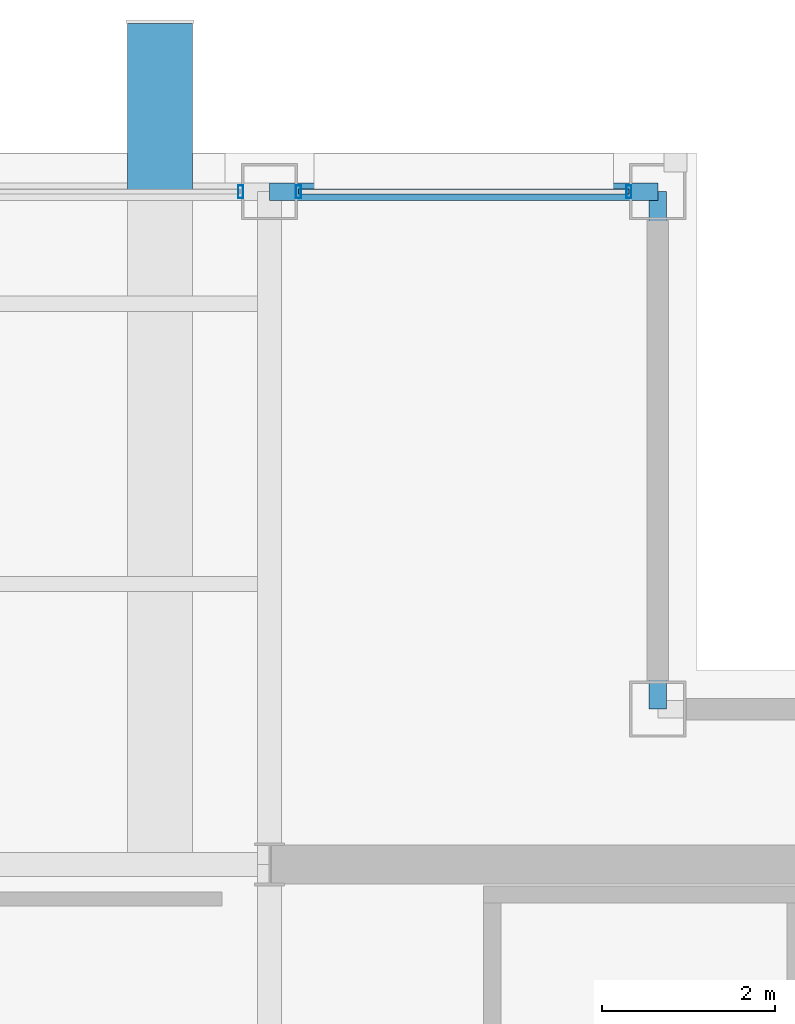
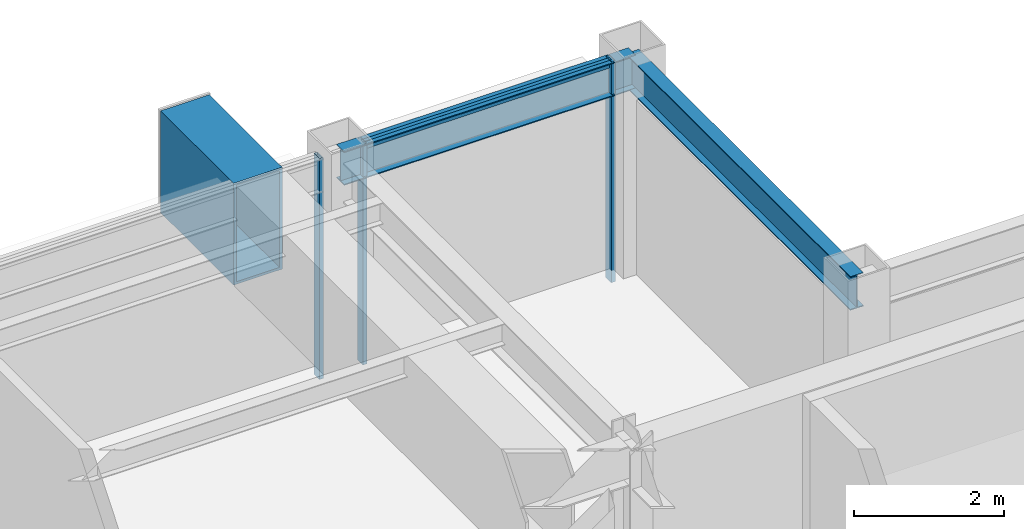
# One storey, part 15 of 20: 4 members, 3 beams, 2 elements without a shape of their own.
"""IFC4 building model written with IfcOpenShell, lengths in metres."""

from ifc_helpers import new_model, si_unit, direction, frame, origin, origin_2d, place, context, subcontext, project, spatial, hollow_rectangle, i_section, extrude, material, layer, layer_set, material_profile, profile_set, type_object, element, aggregate, save


model = new_model("IFC4")

# Units and contexts
model_context = context("Model", 3, precision=1e-05, world=origin(), true_north=direction((0.0, 1.0)))
body_context = subcontext(model_context, "Body", "Model", "MODEL_VIEW")
ifc_project = project(units=[si_unit("LENGTHUNIT", "METRE"), si_unit("AREAUNIT", "SQUARE_METRE"), si_unit("VOLUMEUNIT", "CUBIC_METRE"), si_unit("PLANEANGLEUNIT", "RADIAN"), si_unit("MASSUNIT", "GRAM", prefix="KILO")], contexts=[model_context])

# Site, building, storey
site_placement = place(None, origin())
site = spatial("IfcSite", under=ifc_project, at=site_placement, CompositionType="ELEMENT")
building_placement = place(site_placement, origin())
building = spatial("IfcBuilding", under=site, at=building_placement, Name="Brelmoor Portico Tower", CompositionType="ELEMENT")
storey_placement = place(building_placement, frame((0.0, 0.0, 218.39990234375)))
storey = spatial("IfcBuildingStorey", under=building, at=storey_placement, Name="L57", CompositionType="ELEMENT", Elevation=218.39990234375)

# Beams
ifc_material_1 = material(Name="Steel Q355B", Category="steel")
ifc_material_profile_1 = material_profile(ifc_material_1, hollow_rectangle(XDim=0.75, YDim=1.659912109375, WallThickness=0.0419921875, at=origin_2d()), Name="BOX 750x1660x42")
ifc_profile_set_1 = profile_set([ifc_material_profile_1], Name="Steel Q355B")
beam_type_1 = type_object("IfcBeamType", Name="BM-PF-CANT", PredefinedType="BEAM", material=ifc_profile_set_1)
beam_1_placement = place(storey_placement, frame((6.780029296875, 17.550048828125, 2.570068359375), z_axis=(0.0, 1.0, 0.0), x_axis=(-1.0, 0.0, 0.0)))
element("IfcBeam", 1, at=beam_1_placement, inside=storey, type_object=beam_type_1, Name="L57 Picture-Frame Outrigger Transfer Cantilever PFB-02", PredefinedType="BEAM", context=body_context, shape_type="SweptSolid", body=[
    extrude(hollow_rectangle(XDim=0.75, YDim=1.659912109375, WallThickness=0.0419921875, at=origin_2d()), origin(), (0.0, 0.0, 1.0), 1.949951171875),
])
ifc_material_profile_2 = material_profile(ifc_material_1, i_section(OverallWidth=0.199951171875, OverallDepth=0.550048828125, WebThickness=0.010009765625, FlangeThickness=0.01611328125, at=origin_2d()), Name="HN 550x200x10x16")
ifc_profile_set_2 = profile_set([ifc_material_profile_2], Name="Steel Q355B")
beam_type_2 = type_object("IfcBeamType", Name="BM-SP-550", PredefinedType="SPANDREL", material=ifc_profile_set_2)
beam_2_placement = place(storey_placement, frame((8.050048828125, 17.550048828125, 3.125), z_axis=(1.0, 0.0, 0.0), x_axis=(0.0, 1.0, 0.0)))
element("IfcBeam", 2, at=beam_2_placement, inside=storey, type_object=beam_type_2, Name="L57 Perimeter Spandrel Beam SP-10", PredefinedType="SPANDREL", context=body_context, shape_type="SweptSolid", body=[
    extrude(i_section(OverallWidth=0.199951171875, OverallDepth=0.550048828125, WebThickness=0.010009765625, FlangeThickness=0.01611328125, at=origin_2d()), origin(), (0.0, 0.0, 1.0), 4.5),
])
beam_3_placement = place(storey_placement, frame((12.550048828125, 11.550048828125, 3.125), z_axis=(0.0, 1.0, 0.0), x_axis=(-1.0, 0.0, 0.0)))
element("IfcBeam", 3, at=beam_3_placement, inside=storey, type_object=beam_type_2, Name="L57 Perimeter Spandrel Beam SP-17", PredefinedType="SPANDREL", context=body_context, shape_type="SweptSolid", body=[
    extrude(i_section(OverallWidth=0.199951171875, OverallDepth=0.550048828125, WebThickness=0.010009765625, FlangeThickness=0.01611328125, at=origin_2d()), origin(), (0.0, 0.0, 1.0), 6.0),
])

# Curtain wall, member
ifc_material_2 = material(Name="Anodised Aluminium Alloy 6063-T6", Category="aluminium")
ifc_layer = layer(ifc_material_2, 0.179931640625)
ifc_layer_set = layer_set([ifc_layer], Name="Anodised Aluminium Alloy 6063-T6")
curtain_wall_type = type_object("IfcCurtainWallType", Name="CW-TOWER-Z4-XB", PredefinedType="NOTDEFINED", material=ifc_layer_set)
curtain_wall_1_placement = place(storey_placement, origin())
curtain_wall_1 = element("IfcCurtainWall", 4, at=curtain_wall_1_placement, inside=storey, type_object=curtain_wall_type, Name="L57 Curtain Wall CW-L57-02-2", PredefinedType="NOTDEFINED")
ifc_material_profile_3 = material_profile(ifc_material_2, hollow_rectangle(XDim=0.06005859375, YDim=0.14990234375, WallThickness=0.00390625, at=origin_2d()), Name="ALU MULLION 60x150")
ifc_profile_set_3 = profile_set([ifc_material_profile_3], Name="Anodised Aluminium Alloy 6063-T6")
member_type_1 = type_object("IfcMemberType", Name="MB-CW-MULL-150", PredefinedType="MULLION", material=ifc_profile_set_3)
member_1_placement = place(storey_placement, frame((7.715087890625, 17.550048828125, -0.199951171875), z_axis=(0.0, 0.0, 1.0), x_axis=(1.0, 0.0, 0.0)))
member_1 = element("IfcMember", 5, at=member_1_placement, type_object=member_type_1, Name="CW-L57-02-2 Mullion 01", PredefinedType="MULLION", context=body_context, shape_type="SweptSolid", body=[
    extrude(hollow_rectangle(XDim=0.06005859375, YDim=0.14990234375, WallThickness=0.00390625, at=origin_2d()), origin(), (0.0, 0.0, 1.0), 3.60009765625),
])
aggregate(curtain_wall_1, [member_1])

# Curtain wall, members
curtain_wall_2_placement = place(storey_placement, origin())
curtain_wall_2 = element("IfcCurtainWall", 6, at=curtain_wall_2_placement, inside=storey, type_object=curtain_wall_type, Name="L57 Curtain Wall CW-L57-02-3", PredefinedType="NOTDEFINED")
member_2_placement = place(storey_placement, frame((8.385009765625, 17.550048828125, -0.199951171875), z_axis=(0.0, 0.0, 1.0), x_axis=(1.0, 0.0, 0.0)))
member_2 = element("IfcMember", 7, at=member_2_placement, type_object=member_type_1, Name="CW-L57-02-3 Mullion 00", PredefinedType="MULLION", context=body_context, shape_type="SweptSolid", body=[
    extrude(hollow_rectangle(XDim=0.06005859375, YDim=0.14990234375, WallThickness=0.00390625, at=origin_2d()), origin(), (0.0, 0.0, 1.0), 3.60009765625),
])
member_3_placement = place(storey_placement, frame((12.215087890625, 17.550048828125, -0.199951171875), z_axis=(0.0, 0.0, 1.0), x_axis=(1.0, 0.0, 0.0)))
member_3 = element("IfcMember", 8, at=member_3_placement, type_object=member_type_1, Name="CW-L57-02-3 Mullion 01", PredefinedType="MULLION", context=body_context, shape_type="SweptSolid", body=[
    extrude(hollow_rectangle(XDim=0.06005859375, YDim=0.14990234375, WallThickness=0.00390625, at=origin_2d()), origin(), (0.0, 0.0, 1.0), 3.60009765625),
])
ifc_material_profile_4 = material_profile(ifc_material_2, hollow_rectangle(XDim=0.06005859375, YDim=0.125, WallThickness=0.00341796875, at=origin_2d()), Name="ALU TRANSOM 60x125")
ifc_profile_set_4 = profile_set([ifc_material_profile_4], Name="Anodised Aluminium Alloy 6063-T6")
member_type_2 = type_object("IfcMemberType", Name="MB-CW-TRAN-125", PredefinedType="USERDEFINED", material=ifc_profile_set_4)
member_4_placement = place(storey_placement, frame((8.385009765625, 17.550048828125, 3.337646484375), z_axis=(1.0, 0.0, 0.0), x_axis=(0.0, 1.0, 0.0)))
member_4 = element("IfcMember", 9, at=member_4_placement, type_object=member_type_2, Name="CW-L57-02-3 Transom 1-00", ObjectType="TRANSOM", PredefinedType="USERDEFINED", context=body_context, shape_type="SweptSolid", body=[
    extrude(hollow_rectangle(XDim=0.06005859375, YDim=0.125, WallThickness=0.00341796875, at=origin_2d()), origin(), (0.0, 0.0, 1.0), 3.830078125),
])
aggregate(curtain_wall_2, [member_2, member_3, member_4])

save(model, "model.ifc")
